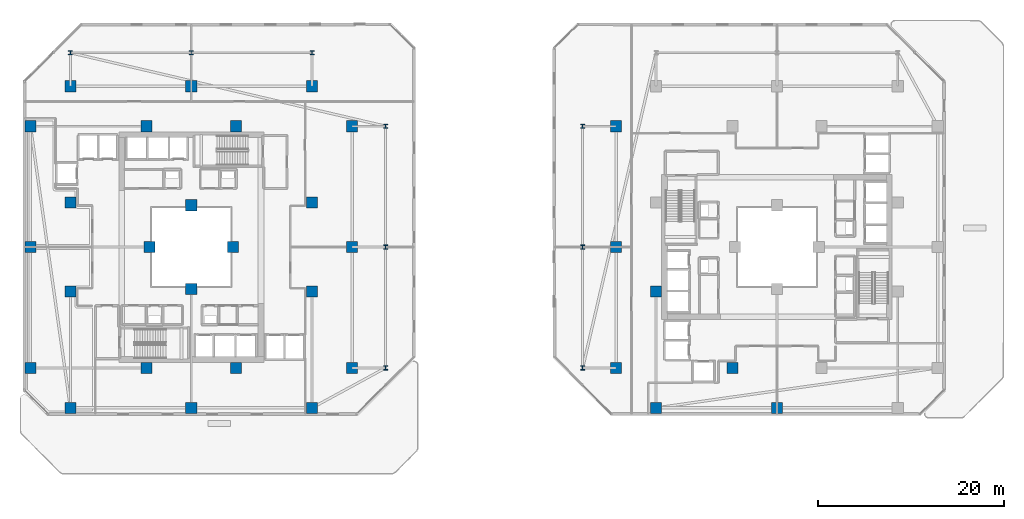
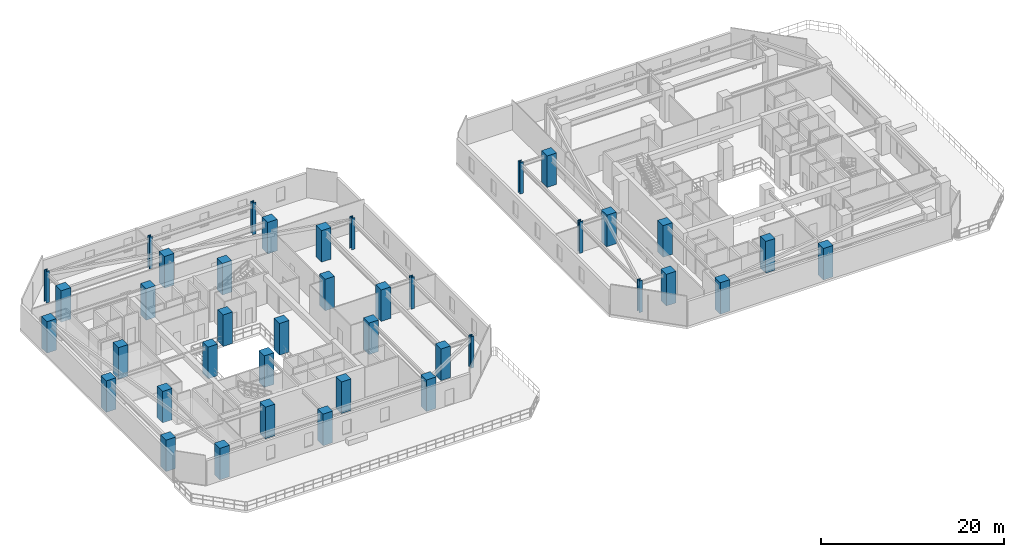
# One storey, part 1 of 30: 40 columns.
"""IFC4 building model written with IfcOpenShell, lengths in metres."""

import ifcopenshell
import ifcopenshell.guid

model = None  # the IFC model being written
_history = None  # IfcOwnerHistory: only IFC2X3 demands one
_inside = {}  # id of a spatial element -> (the spatial element, [elements in it])
_under = {}  # id of a project, library or spatial element -> (it, [spatial elements below it])
_declared = {}  # id of a project -> (the project, [libraries it declares])
_typed = {}  # id of a type object -> (the type object, [elements of that type])
_made_of = {}  # id of a material, layer set ... -> (it, [elements and type objects made of it])


def new_model(schema):
    """Start an empty IFC model of exactly this schema.

    Asked for "IFC4X3", IfcOpenShell would pick the latest addendum, in which some entities
    have other attributes; the version numbers below select the first issue.
    IFC2X3 requires an IfcOwnerHistory on every rooted entity: one is made here for all.
    """
    global model, _history
    if schema == "IFC4X3":
        model = ifcopenshell.file(schema_version=(4, 3, 0, 0))
    else:
        model = ifcopenshell.file(schema=schema)
    _inside.clear()
    _under.clear()
    _declared.clear()
    _typed.clear()
    _made_of.clear()
    _history = None
    if model.schema == "IFC2X3":
        org = make("IfcOrganization", Name="unknown")
        user = make(
            "IfcPersonAndOrganization",
            ThePerson=make("IfcPerson", FamilyName="unknown"),
            TheOrganization=org,
        )
        app = make(
            "IfcApplication",
            ApplicationDeveloper=org,
            Version="unknown",
            ApplicationFullName="unknown",
            ApplicationIdentifier="unknown",
        )
        _history = make(
            "IfcOwnerHistory",
            OwningUser=user,
            OwningApplication=app,
            ChangeAction="ADDED",
            CreationDate=0,
        )
    return model


def make(cls, **values):
    """One entity of the class cls with the attributes given. An attribute that is None is left unset."""
    return model.create_entity(
        cls, **{name: value for name, value in values.items() if value is not None}
    )


def rooted(cls, **values):
    """An entity with a GlobalId (a new one), such as an element, a storey or a relation."""
    return make(cls, GlobalId=ifcopenshell.guid.new(), OwnerHistory=_history, **values)


def si_unit(unit_type, name, prefix=None):
    """IfcSIUnit, for example si_unit("LENGTHUNIT", "METRE", prefix="MILLI")."""
    return make("IfcSIUnit", UnitType=unit_type, Prefix=prefix, Name=name)


def assignment(units):
    """IfcUnitAssignment: the units of a project."""
    return None if units is None else make("IfcUnitAssignment", Units=units)


def point(xyz):
    """IfcCartesianPoint."""
    return None if xyz is None else make("IfcCartesianPoint", Coordinates=xyz)


def direction(xyz):
    """IfcDirection."""
    return None if xyz is None else make("IfcDirection", DirectionRatios=xyz)


def frame(location, z_axis=None, x_axis=None):
    """IfcAxis2Placement3D, a coordinate frame: its origin and axes. An axis left out is left unset."""
    return make(
        "IfcAxis2Placement3D",
        Location=point(location),
        Axis=direction(z_axis),
        RefDirection=direction(x_axis),
    )


def frame_2d(location, x_axis=None):
    """IfcAxis2Placement2D, a coordinate frame in the plane: its origin and x axis."""
    return make(
        "IfcAxis2Placement2D", Location=point(location), RefDirection=direction(x_axis)
    )


def origin():
    """The frame at (0, 0, 0) with its axes left unset."""
    return frame((0.0, 0.0, 0.0))


def origin_2d():
    """The frame at (0, 0) in the plane with its x axis left unset."""
    return frame_2d((0.0, 0.0))


def place(relative_to, where):
    """IfcLocalPlacement: puts the frame where relative to a parent placement (None: the world)."""
    return make(
        "IfcLocalPlacement", PlacementRelTo=relative_to, RelativePlacement=where
    )


def context(
    kind, dimensions, precision=None, world=None, true_north=None, identifier=None
):
    """IfcGeometricRepresentationContext, for example the 3D "Model" context."""
    return make(
        "IfcGeometricRepresentationContext",
        ContextIdentifier=identifier,
        ContextType=kind,
        CoordinateSpaceDimension=dimensions,
        Precision=precision,
        WorldCoordinateSystem=world,
        TrueNorth=true_north,
    )


def subcontext(parent, identifier, kind, view, scale=None):
    """IfcGeometricRepresentationSubContext, for example "Body" below "Model"."""
    return make(
        "IfcGeometricRepresentationSubContext",
        ContextIdentifier=identifier,
        ContextType=kind,
        ParentContext=parent,
        TargetScale=scale,
        TargetView=view,
    )


def project(units=None, contexts=None):
    """IfcProject with its units and contexts."""
    return rooted(
        "IfcProject",
        Name="project",
        RepresentationContexts=contexts,
        UnitsInContext=assignment(units),
    )


def spatial(cls, under=None, at=None, **own):
    """A site, building, storey or space (cls), placed at a placement, below another one or the project."""
    s = rooted(cls, ObjectPlacement=at, **own)
    if under is not None:
        _under.setdefault(under.id(), (under, []))[1].append(s)
    return s


def profile(cls, at=None, kind="AREA", **sizes):
    """A parametric profile (cls). Its sizes go by their IFC names, for example OverallWidth=200.0."""
    return make(cls, ProfileType=kind, Position=at, **sizes)


def rectangle(**sizes):
    """IfcRectangleProfileDef."""
    return profile("IfcRectangleProfileDef", **sizes)


def i_section(**sizes):
    """IfcIShapeProfileDef."""
    return profile("IfcIShapeProfileDef", **sizes)


def extrude(swept, where, along, depth):
    """IfcExtrudedAreaSolid: the profile swept, set in the frame where, extruded along a direction by depth."""
    return make(
        "IfcExtrudedAreaSolid",
        SweptArea=swept,
        Position=where,
        ExtrudedDirection=direction(along),
        Depth=depth,
    )


def shape(context_of_items, identifier, shape_type, items):
    """IfcShapeRepresentation: the items that make up one representation, for example the "Body"."""
    return make(
        "IfcShapeRepresentation",
        ContextOfItems=context_of_items,
        RepresentationIdentifier=identifier,
        RepresentationType=shape_type,
        Items=items,
    )


def material(Name=None, Category=None):
    """IfcMaterial."""
    return make("IfcMaterial", Name=Name, Category=Category)


def material_profile(
    of_material, cross_section, Name=None, Category=None, Priority=None
):
    """IfcMaterialProfile: a cross section and its material."""
    return make(
        "IfcMaterialProfile",
        Name=Name,
        Material=of_material,
        Profile=cross_section,
        Priority=Priority,
        Category=Category,
    )


def profile_set(profiles, Name=None, composite=None):
    """IfcMaterialProfileSet."""
    return make(
        "IfcMaterialProfileSet",
        Name=Name,
        MaterialProfiles=profiles,
        CompositeProfile=composite,
    )


def made_of(thing, what):
    """Note that an element or type object is made of a material, layer set ...; save() writes the relation."""
    if what is not None:
        _made_of.setdefault(what.id(), (what, []))[1].append(thing)
    return thing


def type_object(cls, material=None, **own):
    """A type object (cls), such as IfcWallType, which elements share."""
    return made_of(rooted(cls, **own), material)


def element(
    cls,
    number,
    at=None,
    inside=None,
    cuts=None,
    type_object=None,
    material=None,
    context=None,
    identifier="Body",
    shape_type=None,
    held_by="IfcProductDefinitionShape",
    body=None,
    shapes=None,
    **own,
):
    """One element of the class cls, such as IfcWall. Its Tag is "e" and its number.

    at: its placement. inside: the storey or other place that contains it. cuts: it is an
    opening in that element (IfcRelVoidsElement). A single representation is given by context,
    identifier, shape_type and body (its items); several are given by shapes. held_by: the class
    of the entity that holds the representations. save() writes the other relations.
    """
    e = rooted(cls, Tag="e%d" % number, ObjectPlacement=at, **own)
    if body is not None:
        shapes = [shape(context, identifier, shape_type, body)]
    if shapes is not None:
        e.Representation = make(held_by, Representations=shapes)
    if inside is not None:
        _inside.setdefault(inside.id(), (inside, []))[1].append(e)
    if cuts is not None:
        rooted(
            "IfcRelVoidsElement", RelatingBuildingElement=cuts, RelatedOpeningElement=e
        )
    if type_object is not None:
        _typed.setdefault(type_object.id(), (type_object, []))[1].append(e)
    return made_of(e, material)


def aggregate(whole, parts):
    """IfcRelAggregates: a whole, such as a stair, and the parts it consists of."""
    return rooted("IfcRelAggregates", RelatingObject=whole, RelatedObjects=parts)


def save(model, path):
    """Write the relations noted so far, then the file.

    IfcRelAggregates (storeys below a building ...), IfcRelContainedInSpatialStructure (elements
    in a storey), IfcRelDefinesByType, IfcRelAssociatesMaterial and IfcRelDeclares: one each for
    every whole, place, type object, material and project.
    """
    for whole, parts in _under.values():
        aggregate(whole, parts)
    for where, things in _inside.values():
        rooted(
            "IfcRelContainedInSpatialStructure",
            RelatedElements=things,
            RelatingStructure=where,
        )
    for kind, things in _typed.values():
        rooted("IfcRelDefinesByType", RelatedObjects=things, RelatingType=kind)
    for what, things in _made_of.values():
        rooted("IfcRelAssociatesMaterial", RelatedObjects=things, RelatingMaterial=what)
    for by, libraries in _declared.values():
        rooted("IfcRelDeclares", RelatingContext=by, RelatedDefinitions=libraries)
    model.write(path)


model = new_model("IFC4")

# Units and contexts
model_context = context("Model", 3, precision=1e-05, world=origin(), true_north=direction((0.0, 1.0)))
body_context = subcontext(model_context, "Body", "Model", "MODEL_VIEW")
ifc_project = project(units=[si_unit("LENGTHUNIT", "METRE"), si_unit("AREAUNIT", "SQUARE_METRE"), si_unit("VOLUMEUNIT", "CUBIC_METRE"), si_unit("PLANEANGLEUNIT", "RADIAN"), si_unit("MASSUNIT", "GRAM", prefix="KILO")], contexts=[model_context])

# Site, building, storey
site_placement = place(None, origin())
site = spatial("IfcSite", under=ifc_project, at=site_placement, CompositionType="ELEMENT")
building_placement = place(site_placement, origin())
building = spatial("IfcBuilding", under=site, at=building_placement, Name="Thornwick Lancets Civic Towers", CompositionType="ELEMENT")
storey_placement = place(building_placement, frame((0.0, 0.0, 75.89990234375)))
storey = spatial("IfcBuildingStorey", under=building, at=storey_placement, Name="L19", CompositionType="ELEMENT", Elevation=75.89990234375)

# Columns
ifc_material_1 = material(Name="Concrete C60/75", Category="concrete")
ifc_material_profile_1 = material_profile(ifc_material_1, rectangle(XDim=1.199951171875, YDim=1.199951171875, at=origin_2d()), Name="RC 1200x1200")
ifc_profile_set_1 = profile_set([ifc_material_profile_1], Name="Concrete C60/75")
column_type_1 = type_object("IfcColumnType", Name="COL_RC_1200", PredefinedType="COLUMN", material=ifc_profile_set_1)
for number, where, z_axis, x_axis, name in (
    (1, (12.5, 9.699951171875, 0.0), (0.0, 0.0, 1.0), (1.0, 0.0, 0.0), "L19 Spine Mega-Column A01"),
    (2, (25.5, 9.699951171875, 0.0), (0.0, 0.0, 1.0), (1.0, 0.0, 0.0), "L19 Spine Mega-Column A02"),
    (3, (38.5, 9.699951171875, 0.0), (0.0, 0.0, 1.0), (1.0, 0.0, 0.0), "L19 Spine Mega-Column A03"),
    (4, (42.800048828125, 14.0, 0.0), (0.0, 0.0, 1.0), (1.0, 0.0, 0.0), "L19 Spine Mega-Column A04"),
    (5, (42.800048828125, 27.0, 0.0), (0.0, 0.0, 1.0), (1.0, 0.0, 0.0), "L19 Spine Mega-Column A05"),
    (6, (42.800048828125, 40.0, 0.0), (0.0, 0.0, 1.0), (1.0, 0.0, 0.0), "L19 Spine Mega-Column A06"),
    (7, (12.5, 44.300048828125, 0.0), (0.0, 0.0, 1.0), (1.0, 0.0, 0.0), "L19 Spine Mega-Column A07"),
    (8, (25.5, 44.300048828125, 0.0), (0.0, 0.0, 1.0), (1.0, 0.0, 0.0), "L19 Spine Mega-Column A08"),
    (9, (38.5, 44.300048828125, 0.0), (0.0, 0.0, 1.0), (1.0, 0.0, 0.0), "L19 Spine Mega-Column A09"),
    (10, (8.199951171875, 14.0, 0.0), (0.0, 0.0, 1.0), (1.0, 0.0, 0.0), "L19 Spine Mega-Column A10"),
    (11, (8.199951171875, 27.0, 0.0), (0.0, 0.0, 1.0), (1.0, 0.0, 0.0), "L19 Spine Mega-Column A11"),
    (12, (8.199951171875, 40.0, 0.0), (0.0, 0.0, 1.0), (1.0, 0.0, 0.0), "L19 Spine Mega-Column A12"),
    (13, (12.5, 22.199951171875, 0.0), (0.0, 0.0, 1.0), (1.0, 0.0, 0.0), "L19 Spine Mega-Column A13"),
    (14, (38.5, 22.199951171875, 0.0), (0.0, 0.0, 1.0), (1.0, 0.0, 0.0), "L19 Spine Mega-Column A14"),
    (15, (12.5, 31.800048828125, 0.0), (0.0, 0.0, 1.0), (1.0, 0.0, 0.0), "L19 Spine Mega-Column A15"),
    (16, (38.5, 31.800048828125, 0.0), (0.0, 0.0, 1.0), (1.0, 0.0, 0.0), "L19 Spine Mega-Column A16"),
    (17, (20.699951171875, 14.0, 0.0), (0.0, 0.0, 1.0), (1.0, 0.0, 0.0), "L19 Spine Mega-Column A17"),
    (18, (30.300048828125, 14.0, 0.0), (0.0, 0.0, 1.0), (1.0, 0.0, 0.0), "L19 Spine Mega-Column A18"),
    (19, (20.699951171875, 40.0, 0.0), (0.0, 0.0, 1.0), (1.0, 0.0, 0.0), "L19 Spine Mega-Column A19"),
    (20, (30.300048828125, 40.0, 0.0), (0.0, 0.0, 1.0), (1.0, 0.0, 0.0), "L19 Spine Mega-Column A20"),
    (21, (25.5, 22.5, 0.0), (0.0, 0.0, 1.0), (1.0, 0.0, 0.0), "L19 Spine Mega-Column A21"),
    (22, (25.5, 31.5, 0.0), (0.0, 0.0, 1.0), (1.0, 0.0, 0.0), "L19 Spine Mega-Column A22"),
    (23, (21.0, 27.0, 0.0), (0.0, 0.0, 1.0), (1.0, 0.0, 0.0), "L19 Spine Mega-Column A23"),
    (24, (30.0, 27.0, 0.0), (0.0, 0.0, 1.0), (1.0, 0.0, 0.0), "L19 Spine Mega-Column A24"),
    (25, (71.199951171875, 14.0, 0.0), (0.0, 0.0, 1.0), (1.0, 0.0, 0.0), "L19 Spine Mega-Column B07"),
    (26, (71.199951171875, 27.0, 0.0), (0.0, 0.0, 1.0), (1.0, 0.0, 0.0), "L19 Spine Mega-Column B08"),
    (27, (71.199951171875, 40.0, 0.0), (0.0, 0.0, 1.0), (1.0, 0.0, 0.0), "L19 Spine Mega-Column B09"),
    (28, (88.5, 9.699951171875, 0.0), (0.0, 0.0, 1.0), (1.0, 0.0, 0.0), "L19 Spine Mega-Column B11"),
    (29, (75.5, 9.699951171875, 0.0), (0.0, 0.0, 1.0), (1.0, 0.0, 0.0), "L19 Spine Mega-Column B12"),
    (30, (83.699951171875, 14.0, 0.0), (0.0, 0.0, 1.0), (1.0, 0.0, 0.0), "L19 Spine Mega-Column B15"),
    (31, (75.5, 22.199951171875, 0.0), (0.0, 0.0, 1.0), (1.0, 0.0, 0.0), "L19 Spine Mega-Column B19"),
):
    element("IfcColumn", number, at=place(storey_placement, frame(where, z_axis=z_axis, x_axis=x_axis)), inside=storey, type_object=column_type_1, Name=name, PredefinedType="COLUMN", context=body_context, shape_type="SweptSolid", body=[
        extrude(rectangle(XDim=1.199951171875, YDim=1.199951171875, at=origin_2d()), origin(), (0.0, 0.0, 1.0), 4.2001953125),
    ])
ifc_material_2 = material(Name="Steel S460M", Category="steel")
ifc_material_profile_2 = material_profile(ifc_material_2, i_section(OverallWidth=0.41845703125, OverallDepth=0.45556640625, WebThickness=0.0419921875, FlangeThickness=0.0673828125, FilletRadius=0.01513671875, at=origin_2d()), Name="UKC 356x406x551")
ifc_profile_set_2 = profile_set([ifc_material_profile_2], Name="Steel S460M")
column_type_2 = type_object("IfcColumnType", Name="COL_UKC_551", PredefinedType="COLUMN", material=ifc_profile_set_2)
for number, where, z_axis, x_axis, name in (
    (32, (46.39990234375, 14.0, 0.0), (0.0, 0.0, 1.0), (1.0, 0.0, 0.0), "L19 Block Perimeter Column A04"),
    (33, (46.39990234375, 27.0, 0.0), (0.0, 0.0, 1.0), (1.0, 0.0, 0.0), "L19 Block Perimeter Column A05"),
    (34, (46.39990234375, 40.0, 0.0), (0.0, 0.0, 1.0), (1.0, 0.0, 0.0), "L19 Block Perimeter Column A06"),
    (35, (12.5, 47.89990234375, 0.0), (0.0, 0.0, 1.0), (1.0, 0.0, 0.0), "L19 Block Perimeter Column A07"),
    (36, (25.5, 47.89990234375, 0.0), (0.0, 0.0, 1.0), (1.0, 0.0, 0.0), "L19 Block Perimeter Column A08"),
    (37, (38.5, 47.89990234375, 0.0), (0.0, 0.0, 1.0), (1.0, 0.0, 0.0), "L19 Block Perimeter Column A09"),
    (38, (67.60009765625, 14.0, 0.0), (0.0, 0.0, 1.0), (1.0, 0.0, 0.0), "L19 Block Perimeter Column B07"),
    (39, (67.60009765625, 27.0, 0.0), (0.0, 0.0, 1.0), (1.0, 0.0, 0.0), "L19 Block Perimeter Column B08"),
    (40, (67.60009765625, 40.0, 0.0), (0.0, 0.0, 1.0), (1.0, 0.0, 0.0), "L19 Block Perimeter Column B09"),
):
    element("IfcColumn", number, at=place(storey_placement, frame(where, z_axis=z_axis, x_axis=x_axis)), inside=storey, type_object=column_type_2, Name=name, PredefinedType="COLUMN", context=body_context, shape_type="SweptSolid", body=[
        extrude(i_section(OverallWidth=0.41845703125, OverallDepth=0.45556640625, WebThickness=0.0419921875, FlangeThickness=0.0673828125, FilletRadius=0.01513671875, at=origin_2d()), origin(), (0.0, 0.0, 1.0), 4.2001953125),
    ])

save(model, "model.ifc")
